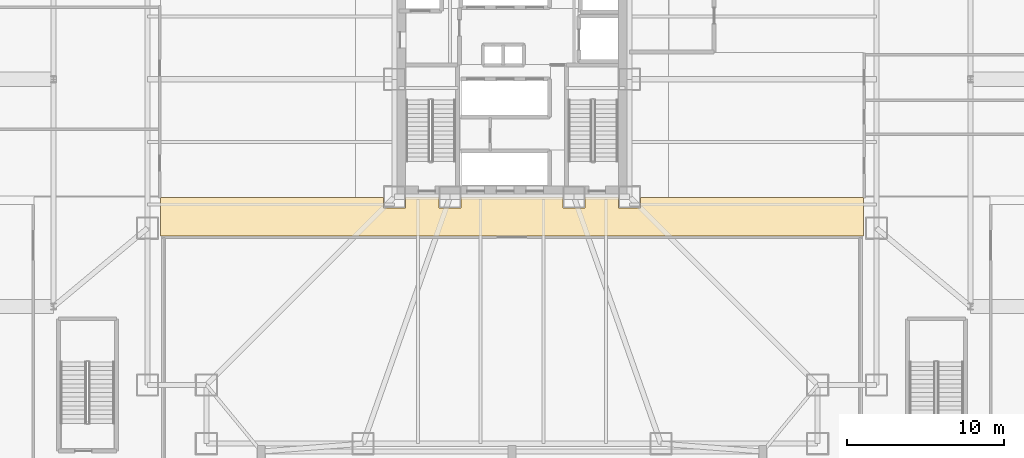
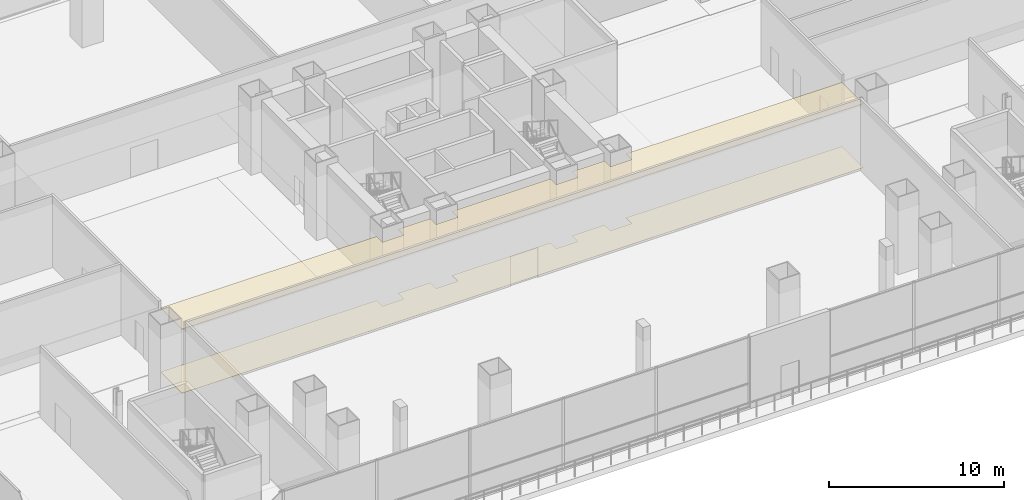
# One storey, part 28 of 36: 2 coverings.
"""IFC4 building model written with IfcOpenShell, lengths in metres."""

from ifc_helpers import new_model, si_unit, direction, frame, origin, place, context, subcontext, project, spatial, polyline, outline, extrude, material, layer, layer_set, type_object, element, save


model = new_model("IFC4")

# Units and contexts
model_context = context("Model", 3, precision=1e-05, world=origin(), true_north=direction((0.0, 1.0)))
body_context = subcontext(model_context, "Body", "Model", "MODEL_VIEW")
ifc_project = project(units=[si_unit("LENGTHUNIT", "METRE"), si_unit("AREAUNIT", "SQUARE_METRE"), si_unit("VOLUMEUNIT", "CUBIC_METRE"), si_unit("PLANEANGLEUNIT", "RADIAN"), si_unit("MASSUNIT", "GRAM", prefix="KILO")], contexts=[model_context])

# Site, building, storey
site_placement = place(None, origin())
site = spatial("IfcSite", under=ifc_project, at=site_placement, CompositionType="ELEMENT")
building_placement = place(site_placement, origin())
building = spatial("IfcBuilding", under=site, at=building_placement, Name="Trevonay Congress Spire", CompositionType="ELEMENT")
storey_placement = place(building_placement, frame((0.0, 0.0, 5.39990234375)))
storey = spatial("IfcBuildingStorey", under=building, at=storey_placement, Name="L01", CompositionType="ELEMENT", Elevation=5.39990234375)

# Coverings
ifc_material_1 = material(Name="Acoustic Mineral Fibre Board", Category="gypsum")
ifc_layer_1 = layer(ifc_material_1, 0.02490234375, Name="Acoustic Mineral Fibre Board")
ifc_layer_set_1 = layer_set([ifc_layer_1], Name="Acoustic Mineral Fibre Board")
covering_type_1 = type_object("IfcCoveringType", Name="COV-CEIL-ACOUSTIC", PredefinedType="CEILING", material=ifc_layer_set_1)
covering_1_placement = place(storey_placement, frame((0.0, 0.0, 4.4501953125)))
element("IfcCovering", 1, at=covering_1_placement, inside=storey, type_object=covering_type_1, Name="L01 L01 Grand Concourse South acoustic suspended ceiling", PredefinedType="CEILING", context=body_context, shape_type="SweptSolid", body=[
    extrude(outline(polyline([(22.419921875, -7.550048828125), (22.419921875, -10.0), (-22.419921875, -10.0), (-22.419921875, -7.550048828125), (-8.2099609375, -7.550048828125), (-8.2099609375, -8.2099609375), (-6.7900390625, -8.2099609375), (-6.7900390625, -7.550048828125), (-4.659912109375, -7.550048828125), (-4.659912109375, -8.2099609375), (-3.239990234375, -8.2099609375), (-3.239990234375, -7.550048828125), (3.239990234375, -7.550048828125), (3.239990234375, -8.2099609375), (4.659912109375, -8.2099609375), (4.659912109375, -7.550048828125), (6.7900390625, -7.550048828125), (6.7900390625, -8.2099609375), (8.2099609375, -8.2099609375), (8.2099609375, -7.550048828125), (22.419921875, -7.550048828125)])), origin(), (0.0, 0.0, 1.0), 0.02490234375),
])
ifc_material_2 = material(Name="Polished Granite Floor Tile", Category="masonry")
ifc_layer_2 = layer(ifc_material_2, 0.02001953125, Name="Polished Granite Floor Tile")
ifc_layer_set_2 = layer_set([ifc_layer_2], Name="Polished Granite Floor Tile")
covering_type_2 = type_object("IfcCoveringType", Name="COV-FLOOR-STONE", PredefinedType="FLOORING", material=ifc_layer_set_2)
covering_2_placement = place(storey_placement, origin())
element("IfcCovering", 2, at=covering_2_placement, inside=storey, type_object=covering_type_2, Name="L01 L01 Grand Concourse South floor finish", PredefinedType="FLOORING", context=body_context, shape_type="SweptSolid", body=[
    extrude(outline(polyline([(22.419921875, -7.550048828125), (22.419921875, -10.0), (-22.419921875, -10.0), (-22.419921875, -7.550048828125), (-8.2099609375, -7.550048828125), (-8.2099609375, -8.2099609375), (-6.7900390625, -8.2099609375), (-6.7900390625, -7.550048828125), (-4.659912109375, -7.550048828125), (-4.659912109375, -8.2099609375), (-3.239990234375, -8.2099609375), (-3.239990234375, -7.550048828125), (3.239990234375, -7.550048828125), (3.239990234375, -8.2099609375), (4.659912109375, -8.2099609375), (4.659912109375, -7.550048828125), (6.7900390625, -7.550048828125), (6.7900390625, -8.2099609375), (8.2099609375, -8.2099609375), (8.2099609375, -7.550048828125), (22.419921875, -7.550048828125)])), origin(), (0.0, 0.0, 1.0), 0.02001953125),
])

save(model, "model.ifc")
